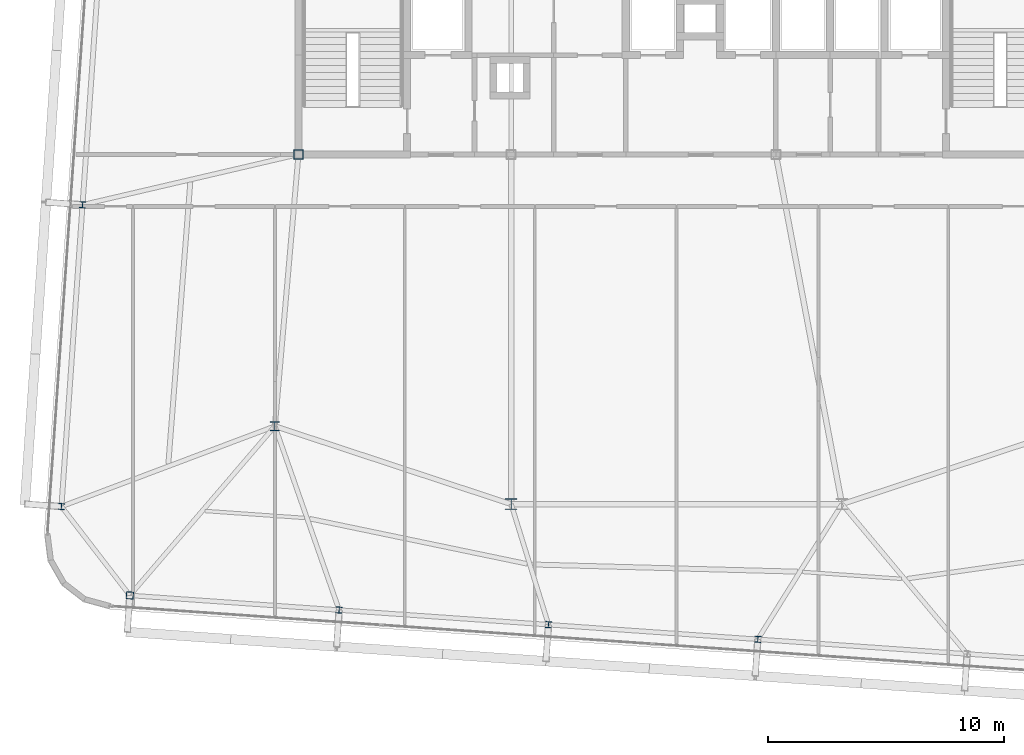
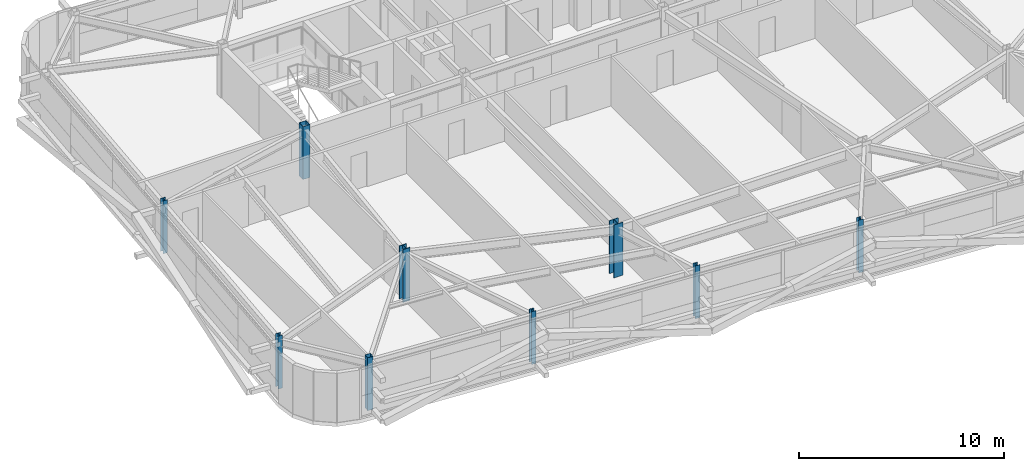
# One storey, part 1 of 39: 9 columns.
"""IFC4 building model written with IfcOpenShell, lengths in metres."""

from ifc_helpers import new_model, si_unit, direction, frame, origin, origin_2d, place, context, subcontext, project, spatial, hollow_rectangle, i_section, extrude, source, transform, mapped, material, material_profile, profile_set, type_object, element, save


model = new_model("IFC4")

# Units and contexts
model_context = context("Model", 3, precision=1e-05, world=origin(), true_north=direction((0.0, 1.0)))
body_context = subcontext(model_context, "Body", "Model", "MODEL_VIEW")
ifc_project = project(units=[si_unit("LENGTHUNIT", "METRE"), si_unit("AREAUNIT", "SQUARE_METRE"), si_unit("VOLUMEUNIT", "CUBIC_METRE"), si_unit("PLANEANGLEUNIT", "RADIAN"), si_unit("MASSUNIT", "GRAM", prefix="KILO")], contexts=[model_context])

# Site, building, storey
site_placement = place(None, origin())
site = spatial("IfcSite", under=ifc_project, at=site_placement, CompositionType="ELEMENT")
building_placement = place(site_placement, origin())
building = spatial("IfcBuilding", under=site, at=building_placement, Name="Taldren Reach Tower", CompositionType="ELEMENT")
storey_placement = place(building_placement, frame((0.0, 0.0, 120.39990234375)))
storey = spatial("IfcBuildingStorey", under=building, at=storey_placement, Name="L36", CompositionType="ELEMENT", Elevation=120.39990234375)

# Columns
ifc_material_1 = material(Name="Steel Gr 350 (350PLUS)", Category="steel")
ifc_material_profile_1 = material_profile(ifc_material_1, i_section(OverallWidth=0.39990234375, OverallDepth=0.39599609375, WebThickness=0.02197265625, FlangeThickness=0.033935546875, at=origin_2d()), Name="400WC270")
ifc_profile_set_1 = profile_set([ifc_material_profile_1], Name="Steel Gr 350 (350PLUS)")
column_type_1 = type_object("IfcColumnType", Name="COL-WC400", PredefinedType="COLUMN", material=ifc_profile_set_1)
shared_shape_1 = source(origin(), body_context, "Body", "SweptSolid", [
    extrude(i_section(OverallWidth=0.39990234375, OverallDepth=0.39599609375, WebThickness=0.02197265625, FlangeThickness=0.033935546875, at=origin_2d()), origin(), (0.0, 0.0, 1.0), 3.150146484375),
])
column_1_placement = place(storey_placement, frame((18.0, 12.5, 0.0), z_axis=(0.0, 0.0, 1.0), x_axis=(1.0, 0.0, 0.0)))
element("IfcColumn", 1, at=column_1_placement, inside=storey, type_object=column_type_1, Name="Mega column MC-SW L36", PredefinedType="COLUMN", context=body_context, shape_type="MappedRepresentation", body=[
    mapped(shared_shape_1, transform((0.0, 0.0, 0.0), scale=1.0)),
])
ifc_material_profile_2 = material_profile(ifc_material_1, i_section(OverallWidth=0.5, OverallDepth=0.464111328125, WebThickness=0.02197265625, FlangeThickness=0.033935546875, at=origin_2d()), Name="500WC340")
ifc_profile_set_2 = profile_set([ifc_material_profile_2], Name="Steel Gr 350 (350PLUS)")
column_type_2 = type_object("IfcColumnType", Name="COL-WC500B", PredefinedType="COLUMN", material=ifc_profile_set_2)
shared_shape_2 = source(origin(), body_context, "Body", "SweptSolid", [
    extrude(i_section(OverallWidth=0.5, OverallDepth=0.464111328125, WebThickness=0.02197265625, FlangeThickness=0.033935546875, at=origin_2d()), origin(), (0.0, 0.0, 1.0), 3.150146484375),
])
column_2_placement = place(storey_placement, frame((28.0, 9.199951171875, 0.0), z_axis=(0.0, 0.0, 1.0), x_axis=(1.0, 0.0, 0.0)))
element("IfcColumn", 2, at=column_2_placement, inside=storey, type_object=column_type_2, Name="Mega column MC-PJW L36", PredefinedType="COLUMN", context=body_context, shape_type="MappedRepresentation", body=[
    mapped(shared_shape_2, transform((0.0, 0.0, 0.0), scale=1.0)),
])
ifc_material_2 = material(Name="Steel Gr 450 (C450L0)", Category="steel")
ifc_material_profile_3 = material_profile(ifc_material_2, hollow_rectangle(XDim=0.39990234375, YDim=0.39990234375, WallThickness=0.01611328125, at=origin_2d()), Name="400x400x16.0SHS")
ifc_profile_set_3 = profile_set([ifc_material_profile_3], Name="Steel Gr 450 (C450L0)")
column_type_3 = type_object("IfcColumnType", Name="COL-SHS400", PredefinedType="COLUMN", material=ifc_profile_set_3)
shared_shape_3 = source(origin(), body_context, "Body", "SweptSolid", [
    extrude(hollow_rectangle(XDim=0.39990234375, YDim=0.39990234375, WallThickness=0.01611328125, at=origin_2d()), origin(), (0.0, 0.0, 1.0), 3.150146484375),
])
column_3_placement = place(storey_placement, frame((19.0, 24.0, 0.0), z_axis=(0.0, 0.0, 1.0), x_axis=(1.0, 0.0, 0.0)))
element("IfcColumn", 3, at=column_3_placement, inside=storey, type_object=column_type_3, Name="Mega column MC-C1 L36", PredefinedType="COLUMN", context=body_context, shape_type="MappedRepresentation", body=[
    mapped(shared_shape_3, transform((0.0, 0.0, 0.0), scale=1.0)),
])
ifc_material_profile_4 = material_profile(ifc_material_2, hollow_rectangle(XDim=0.300048828125, YDim=0.300048828125, WallThickness=0.012451171875, at=origin_2d()), Name="300x300x12.5SHS")
ifc_profile_set_4 = profile_set([ifc_material_profile_4], Name="Steel Gr 450 (C450L0)")
column_type_4 = type_object("IfcColumnType", Name="COL-SHS300", PredefinedType="COLUMN", material=ifc_profile_set_4)
shared_shape_4 = source(origin(), body_context, "Body", "SweptSolid", [
    extrude(hollow_rectangle(XDim=0.300048828125, YDim=0.300048828125, WallThickness=0.012451171875, at=origin_2d()), origin(), (0.0, 0.0, 1.0), 3.150146484375),
])
column_4_placement = place(storey_placement, frame((11.863525390625, 5.33837890625, 0.0), z_axis=(0.0, 0.0, 1.0), x_axis=(0.99756405026, -0.069756473744, 0.0)))
element("IfcColumn", 4, at=column_4_placement, inside=storey, type_object=column_type_4, Name="Block B3 perimeter column S1 L36", PredefinedType="COLUMN", context=body_context, shape_type="MappedRepresentation", body=[
    mapped(shared_shape_4, transform((0.0, 0.0, 0.0), scale=1.0)),
])
ifc_material_profile_5 = material_profile(ifc_material_1, i_section(OverallWidth=0.256103515625, OverallDepth=0.260009765625, WebThickness=0.010498046875, FlangeThickness=0.017333984375, at=origin_2d()), Name="250UC89.5")
ifc_profile_set_5 = profile_set([ifc_material_profile_5], Name="Steel Gr 350 (350PLUS)")
column_type_5 = type_object("IfcColumnType", Name="COL-UC250", PredefinedType="COLUMN", material=ifc_profile_set_5)
shared_shape_5 = source(origin(), body_context, "Body", "SweptSolid", [
    extrude(i_section(OverallWidth=0.256103515625, OverallDepth=0.260009765625, WebThickness=0.010498046875, FlangeThickness=0.017333984375, at=origin_2d()), origin(), (0.0, 0.0, 1.0), 3.150146484375),
])
for number, where, z_axis, x_axis, name in (
    (5, (20.721923828125, 4.718994140625, 0.0), (0.0, 0.0, 1.0), (0.99756405026, -0.069756473744, 0.0), "Block B3 perimeter column S2 L36"),
    (6, (29.580322265625, 4.099609375, 0.0), (0.0, 0.0, 1.0), (0.99756405026, -0.069756473744, 0.0), "Block B3 perimeter column S3 L36"),
    (7, (38.438720703125, 3.480224609375, 0.0), (0.0, 0.0, 1.0), (0.99756405026, -0.069756473744, 0.0), "Block B3 perimeter column S4 L36"),
    (8, (8.96875, 9.099609375, 0.0), (0.0, 0.0, 1.0), (0.99756405026, -0.069756473744, 0.0), "Block B3 perimeter column W1 L36"),
    (9, (9.86181640625, 21.868408203125, 0.0), (0.0, 0.0, 1.0), (0.99756405026, -0.069756473744, 0.0), "Block B3 perimeter column W2 L36"),
):
    element("IfcColumn", number, at=place(storey_placement, frame(where, z_axis=z_axis, x_axis=x_axis)), inside=storey, type_object=column_type_5, Name=name, PredefinedType="COLUMN", context=body_context, shape_type="MappedRepresentation", body=[
        mapped(shared_shape_5, transform((0.0, 0.0, 0.0), scale=1.0)),
    ])

save(model, "model.ifc")
